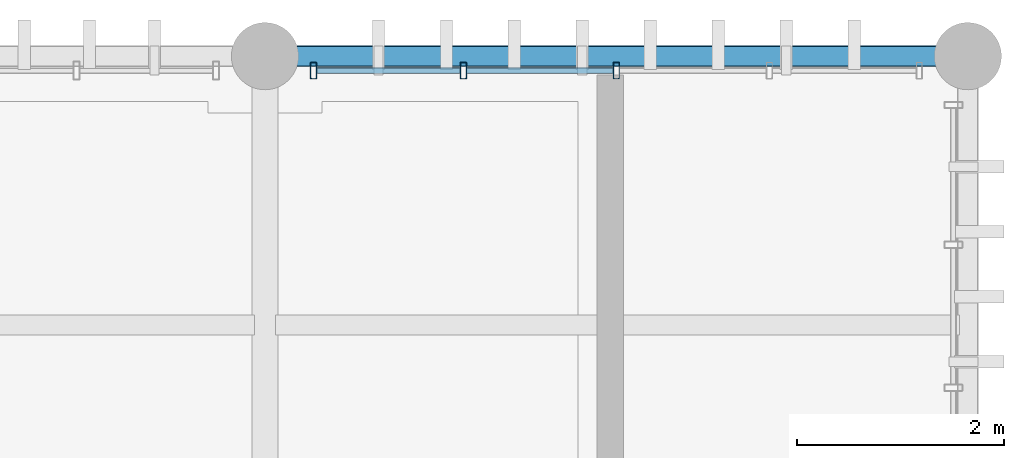
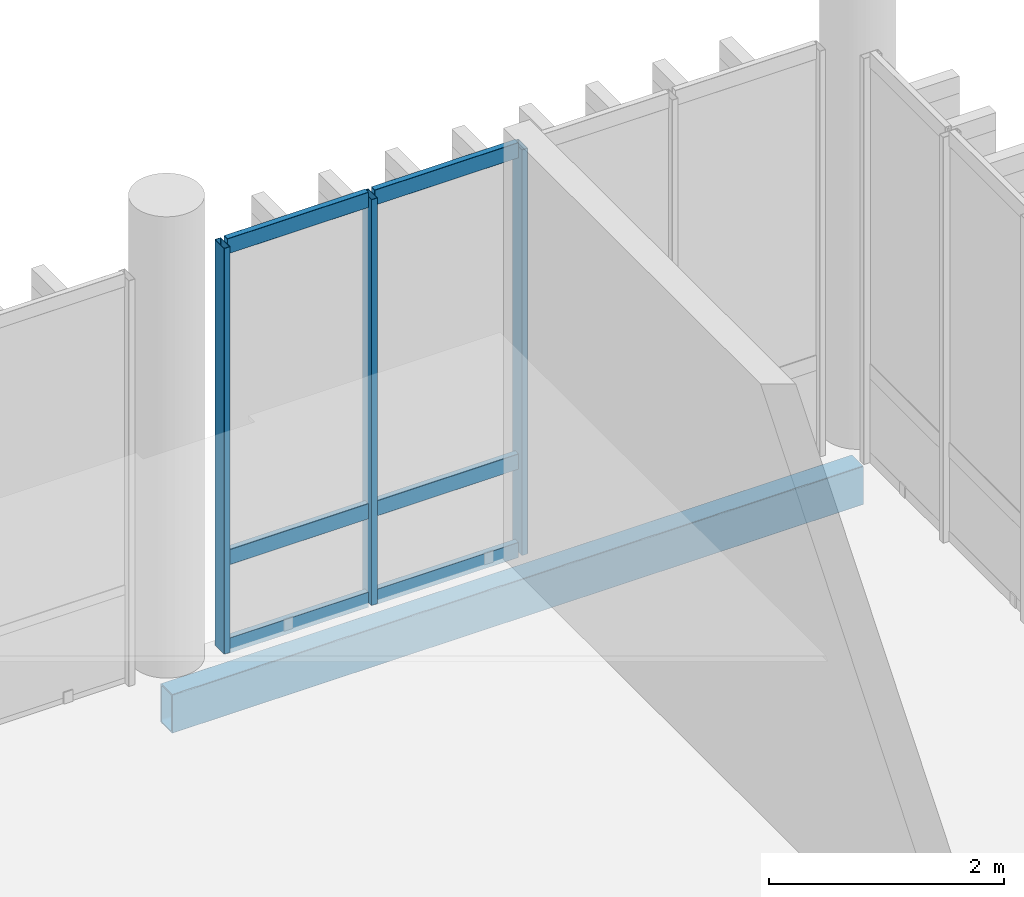
# One storey, part 57 of 86: 9 members, 1 beam, 1 element without a shape of its own.
"""IFC4 building model written with IfcOpenShell, lengths in metres."""

from ifc_helpers import new_model, si_unit, direction, frame, origin_with_axes, origin_2d_with_axis, place, context, subcontext, project, spatial, hollow_rectangle, extrude, material, material_profile, profile_set, type_object, element, aggregate, save


model = new_model("IFC4")

# Units and contexts
model_context = context("Model", 3, precision=1e-05, world=origin_with_axes(), true_north=direction((0.0, 1.0)))
body_context = subcontext(model_context, "Body", "Model", "MODEL_VIEW")
ifc_project = project(units=[si_unit("LENGTHUNIT", "METRE"), si_unit("AREAUNIT", "SQUARE_METRE"), si_unit("VOLUMEUNIT", "CUBIC_METRE"), si_unit("PLANEANGLEUNIT", "RADIAN"), si_unit("MASSUNIT", "GRAM", prefix="KILO"), si_unit("THERMODYNAMICTEMPERATUREUNIT", "KELVIN")], contexts=[model_context])

# Site, building, storey
site_placement = place(None, origin_with_axes())
site = spatial("IfcSite", under=ifc_project, at=site_placement, CompositionType="ELEMENT")
building_placement = place(site_placement, origin_with_axes())
building = spatial("IfcBuilding", under=site, at=building_placement, Name="Montbau Bow Law Courts", CompositionType="ELEMENT")
storey_placement = place(building_placement, frame((0.0, 0.0, 29.7), z_axis=(0.0, 0.0, 1.0), x_axis=(1.0, 0.0, 0.0)))
storey = spatial("IfcBuildingStorey", under=building, at=storey_placement, Name="L06", CompositionType="ELEMENT", Elevation=29.7)

# Beam
ifc_material_1 = material(Name="Steel CSA G40.21 Grade 350WT (350 MPa)", Category="steel")
ifc_material_profile_1 = material_profile(ifc_material_1, hollow_rectangle(XDim=0.203, YDim=0.406, WallThickness=0.0127, InnerFilletRadius=0.0254, OuterFilletRadius=0.0127, at=origin_2d_with_axis()), Name="HSS406X203X13", Category="Main", Priority=0)
ifc_profile_set_1 = profile_set([ifc_material_profile_1], Name="Steel CSA G40.21 Grade 350WT (350 MPa)")
beam_type = type_object("IfcBeamType", Name="B-SPN-01", PredefinedType="SPANDREL", material=ifc_profile_set_1)
beam_placement = place(None, frame((162.6, 111.0, 29.157), z_axis=(1.0, 0.0, 0.0), x_axis=(0.0, 1.0, 0.0)))
element("IfcBeam", 1, at=beam_placement, inside=storey, type_object=beam_type, Name="SPN-L06-S1317:bm2_1320", PredefinedType="SPANDREL", context=body_context, shape_type="SweptSolid", body=[
    extrude(hollow_rectangle(XDim=0.203, YDim=0.406, WallThickness=0.0127, InnerFilletRadius=0.0254, OuterFilletRadius=0.0127, at=origin_2d_with_axis()), origin_with_axes(), (0.0, 0.0, 1.0), 6.8),
])

# Curtain wall, members
ifc_material_2 = material(Name="Thermally Broken Extruded Aluminium AA 6063-T6", Category="aluminium")
curtain_wall_type = type_object("IfcCurtainWallType", Name="CW-SLT-02", PredefinedType="NOTDEFINED", material=ifc_material_2)
curtain_wall_placement = place(None, frame((163.04, 110.86, 29.7), z_axis=(0.0, 0.0, 1.0), x_axis=(1.0, 0.0, 0.0)))
curtain_wall = element("IfcCurtainWall", 2, at=curtain_wall_placement, inside=storey, type_object=curtain_wall_type, Name="CW-L06-356:cw_0356", PredefinedType="NOTDEFINED")
ifc_material_profile_2 = material_profile(ifc_material_2, hollow_rectangle(XDim=0.06, YDim=0.16, WallThickness=0.004, InnerFilletRadius=0.008, OuterFilletRadius=0.004, at=origin_2d_with_axis()), Name="CWM-160X60", Category="Main", Priority=0)
ifc_profile_set_2 = profile_set([ifc_material_profile_2], Name="Thermally Broken Extruded Aluminium AA 6063-T6")
member_type_1 = type_object("IfcMemberType", Name="M-MUL-03", PredefinedType="MULLION", material=ifc_profile_set_2)
member_1_placement = place(None, frame((163.07, 110.86, 29.7), z_axis=(0.0, 0.0, 1.0), x_axis=(1.0, 0.0, 0.0)))
member_1 = element("IfcMember", 3, at=member_1_placement, type_object=member_type_1, Name="CW-L06-356-M01:cw_0356_M01", PredefinedType="MULLION", context=body_context, shape_type="SweptSolid", body=[
    extrude(hollow_rectangle(XDim=0.06, YDim=0.16, WallThickness=0.004, InnerFilletRadius=0.008, OuterFilletRadius=0.004, at=origin_2d_with_axis()), origin_with_axes(), (0.0, 0.0, 1.0), 4.22),
])
member_2_placement = place(None, frame((164.52, 110.86, 29.7), z_axis=(0.0, 0.0, 1.0), x_axis=(1.0, 0.0, 0.0)))
member_2 = element("IfcMember", 4, at=member_2_placement, type_object=member_type_1, Name="CW-L06-356-M02:cw_0356_M02", PredefinedType="MULLION", context=body_context, shape_type="SweptSolid", body=[
    extrude(hollow_rectangle(XDim=0.06, YDim=0.16, WallThickness=0.004, InnerFilletRadius=0.008, OuterFilletRadius=0.004, at=origin_2d_with_axis()), origin_with_axes(), (0.0, 0.0, 1.0), 4.22),
])
member_3_placement = place(None, frame((166.0, 110.86, 29.7), z_axis=(0.0, 0.0, 1.0), x_axis=(1.0, 0.0, 0.0)))
member_3 = element("IfcMember", 5, at=member_3_placement, type_object=member_type_1, Name="CW-L06-356-M03:cw_0356_M03", PredefinedType="MULLION", context=body_context, shape_type="SweptSolid", body=[
    extrude(hollow_rectangle(XDim=0.06, YDim=0.16, WallThickness=0.004, InnerFilletRadius=0.008, OuterFilletRadius=0.004, at=origin_2d_with_axis()), origin_with_axes(), (0.0, 0.0, 1.0), 4.22),
])
ifc_material_profile_3 = material_profile(ifc_material_2, hollow_rectangle(XDim=0.06, YDim=0.16, WallThickness=0.004, InnerFilletRadius=0.008, OuterFilletRadius=0.004, at=origin_2d_with_axis()), Name="CWT-160X60", Category="Main", Priority=0)
ifc_profile_set_3 = profile_set([ifc_material_profile_3], Name="Thermally Broken Extruded Aluminium AA 6063-T6")
member_type_2 = type_object("IfcMemberType", Name="M-TRN-01", PredefinedType="USERDEFINED", material=ifc_profile_set_3)
member_4_placement = place(None, frame((163.102, 110.86, 29.73), z_axis=(1.0, 0.0, 0.0), x_axis=(0.0, 1.0, 0.0)))
member_4 = element("IfcMember", 6, at=member_4_placement, type_object=member_type_2, Name="CW-L06-356-T01-1:cw_0356_T01_1", ObjectType="TRANSOM", PredefinedType="USERDEFINED", context=body_context, shape_type="SweptSolid", body=[
    extrude(hollow_rectangle(XDim=0.06, YDim=0.16, WallThickness=0.004, InnerFilletRadius=0.008, OuterFilletRadius=0.004, at=origin_2d_with_axis()), origin_with_axes(), (0.0, 0.0, 1.0), 1.386),
])
member_5_placement = place(None, frame((163.102, 110.86, 30.65), z_axis=(1.0, 0.0, 0.0), x_axis=(0.0, 1.0, 0.0)))
member_5 = element("IfcMember", 7, at=member_5_placement, type_object=member_type_2, Name="CW-L06-356-T01-2:cw_0356_T01_2", ObjectType="TRANSOM", PredefinedType="USERDEFINED", context=body_context, shape_type="SweptSolid", body=[
    extrude(hollow_rectangle(XDim=0.06, YDim=0.16, WallThickness=0.004, InnerFilletRadius=0.008, OuterFilletRadius=0.004, at=origin_2d_with_axis()), origin_with_axes(), (0.0, 0.0, 1.0), 1.386),
])
member_6_placement = place(None, frame((163.102, 110.86, 33.89), z_axis=(1.0, 0.0, 0.0), x_axis=(0.0, 1.0, 0.0)))
member_6 = element("IfcMember", 8, at=member_6_placement, type_object=member_type_2, Name="CW-L06-356-T01-3:cw_0356_T01_3", ObjectType="TRANSOM", PredefinedType="USERDEFINED", context=body_context, shape_type="SweptSolid", body=[
    extrude(hollow_rectangle(XDim=0.06, YDim=0.16, WallThickness=0.004, InnerFilletRadius=0.008, OuterFilletRadius=0.004, at=origin_2d_with_axis()), origin_with_axes(), (0.0, 0.0, 1.0), 1.386),
])
member_7_placement = place(None, frame((164.552, 110.86, 29.73), z_axis=(1.0, 0.0, 0.0), x_axis=(0.0, 1.0, 0.0)))
member_7 = element("IfcMember", 9, at=member_7_placement, type_object=member_type_2, Name="CW-L06-356-T02-1:cw_0356_T02_1", ObjectType="TRANSOM", PredefinedType="USERDEFINED", context=body_context, shape_type="SweptSolid", body=[
    extrude(hollow_rectangle(XDim=0.06, YDim=0.16, WallThickness=0.004, InnerFilletRadius=0.008, OuterFilletRadius=0.004, at=origin_2d_with_axis()), origin_with_axes(), (0.0, 0.0, 1.0), 1.416),
])
member_8_placement = place(None, frame((164.552, 110.86, 30.65), z_axis=(1.0, 0.0, 0.0), x_axis=(0.0, 1.0, 0.0)))
member_8 = element("IfcMember", 10, at=member_8_placement, type_object=member_type_2, Name="CW-L06-356-T02-2:cw_0356_T02_2", ObjectType="TRANSOM", PredefinedType="USERDEFINED", context=body_context, shape_type="SweptSolid", body=[
    extrude(hollow_rectangle(XDim=0.06, YDim=0.16, WallThickness=0.004, InnerFilletRadius=0.008, OuterFilletRadius=0.004, at=origin_2d_with_axis()), origin_with_axes(), (0.0, 0.0, 1.0), 1.416),
])
member_9_placement = place(None, frame((164.552, 110.86, 33.89), z_axis=(1.0, 0.0, 0.0), x_axis=(0.0, 1.0, 0.0)))
member_9 = element("IfcMember", 11, at=member_9_placement, type_object=member_type_2, Name="CW-L06-356-T02-3:cw_0356_T02_3", ObjectType="TRANSOM", PredefinedType="USERDEFINED", context=body_context, shape_type="SweptSolid", body=[
    extrude(hollow_rectangle(XDim=0.06, YDim=0.16, WallThickness=0.004, InnerFilletRadius=0.008, OuterFilletRadius=0.004, at=origin_2d_with_axis()), origin_with_axes(), (0.0, 0.0, 1.0), 1.416),
])
aggregate(curtain_wall, [member_1, member_2, member_3, member_4, member_5, member_6, member_7, member_8, member_9])

save(model, "model.ifc")
